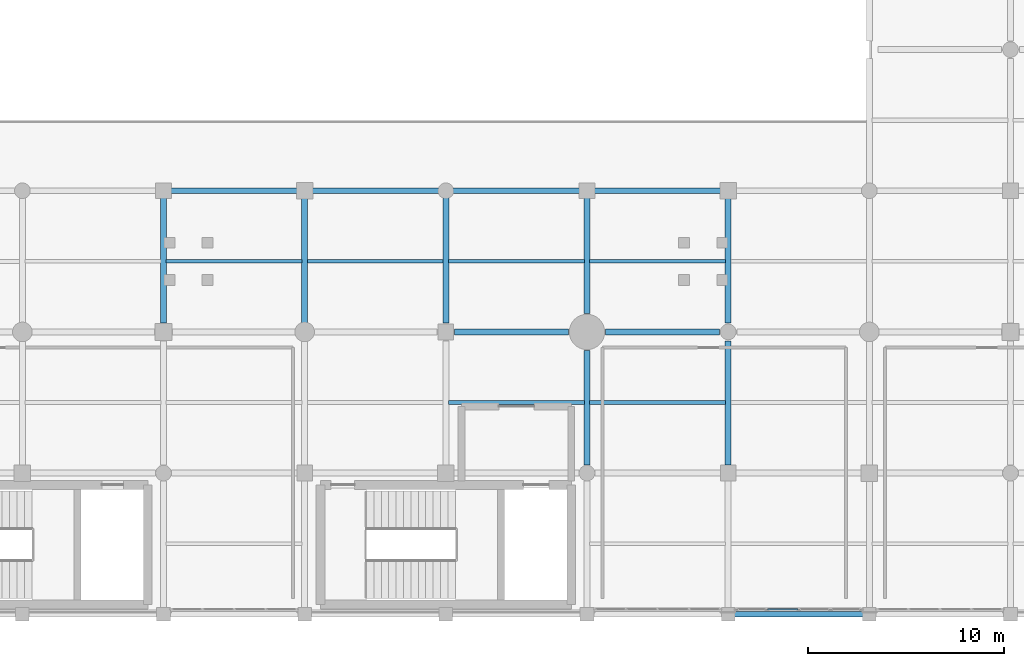
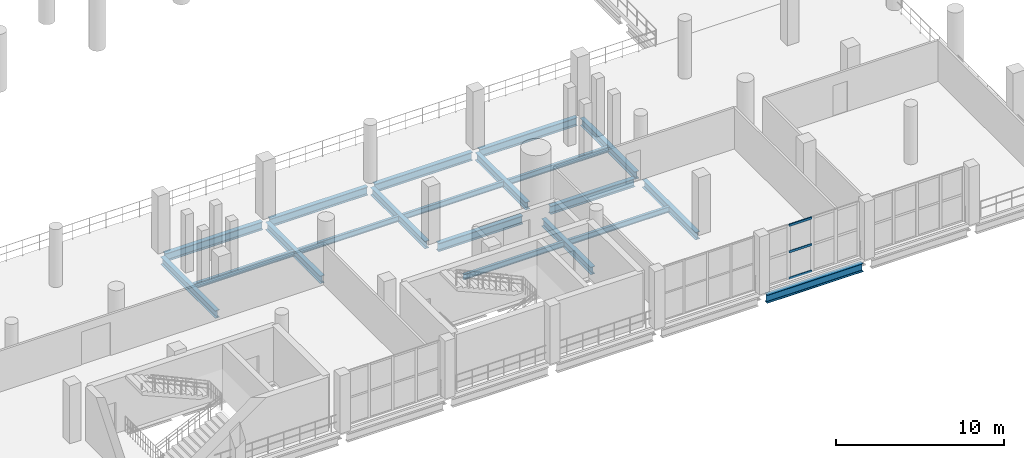
# One storey, part 29 of 153: 20 beams, 3 members, 1 element without a shape of its own.
"""IFC4 building model written with IfcOpenShell, lengths in metres."""

from ifc_helpers import new_model, si_unit, direction, frame, origin, origin_2d, place, context, subcontext, project, spatial, hollow_rectangle, i_section, extrude, material, material_profile, profile_set, type_object, element, aggregate, save


model = new_model("IFC4")

# Units and contexts
model_context = context("Model", 3, precision=1e-05, world=origin(), true_north=direction((0.0, 1.0)))
body_context = subcontext(model_context, "Body", "Model", "MODEL_VIEW")
ifc_project = project(units=[si_unit("LENGTHUNIT", "METRE"), si_unit("AREAUNIT", "SQUARE_METRE"), si_unit("VOLUMEUNIT", "CUBIC_METRE"), si_unit("PLANEANGLEUNIT", "RADIAN"), si_unit("MASSUNIT", "GRAM", prefix="KILO")], contexts=[model_context])

# Site, building, storey
site_placement = place(None, origin())
site = spatial("IfcSite", under=ifc_project, at=site_placement, CompositionType="ELEMENT")
building_placement = place(site_placement, origin())
building = spatial("IfcBuilding", under=site, at=building_placement, Name="Qandorah Velis Arena", CompositionType="ELEMENT")
storey_placement = place(building_placement, frame((0.0, 0.0, 5.39990234375)))
storey = spatial("IfcBuildingStorey", under=building, at=storey_placement, Name="L01", CompositionType="ELEMENT", Elevation=5.39990234375)

# Curtain wall, members
ifc_material_1 = material(Name="Solar-control low-E double glazing", Category="glass")
curtain_wall_type = type_object("IfcCurtainWallType", Name="ARC-CW-SYS13", PredefinedType="USERDEFINED", material=ifc_material_1)
curtain_wall_placement = place(storey_placement, origin())
curtain_wall = element("IfcCurtainWall", 1, at=curtain_wall_placement, inside=storey, type_object=curtain_wall_type, Name="Unitised curtain wall L01-061", ObjectType="UNITISED CURTAIN WALL", PredefinedType="USERDEFINED")
ifc_material_2 = material(Name="Champagne-bronze anodized aluminium 6063-T6", Category="aluminium")
ifc_material_profile_1 = material_profile(ifc_material_2, hollow_rectangle(XDim=0.074951171875, YDim=0.159912109375, WallThickness=0.00341796875, at=origin_2d()), Name="ALU TRANSOM 75x160")
ifc_profile_set_1 = profile_set([ifc_material_profile_1], Name="Champagne-bronze anodized aluminium 6063-T6")
member_type = type_object("IfcMemberType", Name="ARC-CWT-160", PredefinedType="USERDEFINED", material=ifc_profile_set_1)
member_1_placement = place(storey_placement, frame((95.613037109375, 0.25, 0.03759765625), z_axis=(1.0, 0.0, 0.0), x_axis=(0.0, 1.0, 0.0)))
member_1 = element("IfcMember", 2, at=member_1_placement, type_object=member_type, Name="CW13 transom 2.1", ObjectType="TRANSOM", PredefinedType="USERDEFINED", context=body_context, shape_type="SweptSolid", body=[
    extrude(hollow_rectangle(XDim=0.074951171875, YDim=0.159912109375, WallThickness=0.00341796875, at=origin_2d()), origin(), (0.0, 0.0, 1.0), 1.5615234375),
])
member_2_placement = place(storey_placement, frame((95.613037109375, 0.25, 1.960205078125), z_axis=(1.0, 0.0, 0.0), x_axis=(0.0, 1.0, 0.0)))
member_2 = element("IfcMember", 3, at=member_2_placement, type_object=member_type, Name="CW13 transom 2.2", ObjectType="TRANSOM", PredefinedType="USERDEFINED", context=body_context, shape_type="SweptSolid", body=[
    extrude(hollow_rectangle(XDim=0.074951171875, YDim=0.159912109375, WallThickness=0.00341796875, at=origin_2d()), origin(), (0.0, 0.0, 1.0), 1.5615234375),
])
member_3_placement = place(storey_placement, frame((95.613037109375, 0.25, 3.882568359375), z_axis=(1.0, 0.0, 0.0), x_axis=(0.0, 1.0, 0.0)))
member_3 = element("IfcMember", 4, at=member_3_placement, type_object=member_type, Name="CW13 transom 2.3", ObjectType="TRANSOM", PredefinedType="USERDEFINED", context=body_context, shape_type="SweptSolid", body=[
    extrude(hollow_rectangle(XDim=0.074951171875, YDim=0.159912109375, WallThickness=0.00341796875, at=origin_2d()), origin(), (0.0, 0.0, 1.0), 1.5615234375),
])
aggregate(curtain_wall, [member_1, member_2, member_3])

# Beams
ifc_material_3 = material(Name="Steel S355", Category="steel")
ifc_material_profile_2 = material_profile(ifc_material_3, i_section(OverallWidth=0.300048828125, OverallDepth=0.550048828125, WebThickness=0.014892578125, FlangeThickness=0.029052734375, FilletRadius=0.027099609375, at=origin_2d()), Name="HEB 550")
ifc_profile_set_2 = profile_set([ifc_material_profile_2], Name="Steel S355")
beam_type_1 = type_object("IfcBeamType", Name="STR-BM-HEB550", PredefinedType="BEAM", material=ifc_profile_set_2)
for number, where, z_axis, x_axis, name in (
    (5, (64.800048828125, 14.85009765625, -0.635009765625), (0.0, 1.0, 0.0), (-1.0, 0.0, 0.0), "Primary floor girder L01 Y-324"),
    (6, (72.0, 14.85009765625, -0.635009765625), (0.0, 1.0, 0.0), (-1.0, 0.0, 0.0), "Primary floor girder L01 Y-330"),
    (7, (79.199951171875, 14.85009765625, -0.635009765625), (0.0, 1.0, 0.0), (-1.0, 0.0, 0.0), "Primary floor girder L01 Y-335"),
):
    element("IfcBeam", number, at=place(storey_placement, frame(where, z_axis=z_axis, x_axis=x_axis)), inside=storey, type_object=beam_type_1, Name=name, PredefinedType="BEAM", context=body_context, shape_type="SweptSolid", body=[
        extrude(i_section(OverallWidth=0.300048828125, OverallDepth=0.550048828125, WebThickness=0.014892578125, FlangeThickness=0.029052734375, FilletRadius=0.027099609375, at=origin_2d()), origin(), (0.0, 0.0, 1.0), 6.5),
    ])
beam_1_placement = place(storey_placement, frame((86.39990234375, 7.60009765625, -0.635009765625), z_axis=(0.0, 1.0, 0.0), x_axis=(-1.0, 0.0, 0.0)))
element("IfcBeam", 8, at=beam_1_placement, inside=storey, type_object=beam_type_1, Name="Primary floor girder L01 Y-339", PredefinedType="BEAM", context=body_context, shape_type="SweptSolid", body=[
    extrude(i_section(OverallWidth=0.300048828125, OverallDepth=0.550048828125, WebThickness=0.014892578125, FlangeThickness=0.029052734375, FilletRadius=0.027099609375, at=origin_2d()), origin(), (0.0, 0.0, 1.0), 5.849853515625),
])
beam_2_placement = place(storey_placement, frame((86.39990234375, 15.35009765625, -0.635009765625), z_axis=(0.0, 1.0, 0.0), x_axis=(-1.0, 0.0, 0.0)))
element("IfcBeam", 9, at=beam_2_placement, inside=storey, type_object=beam_type_1, Name="Primary floor girder L01 Y-340", PredefinedType="BEAM", context=body_context, shape_type="SweptSolid", body=[
    extrude(i_section(OverallWidth=0.300048828125, OverallDepth=0.550048828125, WebThickness=0.014892578125, FlangeThickness=0.029052734375, FilletRadius=0.027099609375, at=origin_2d()), origin(), (0.0, 0.0, 1.0), 6.0),
])
beam_3_placement = place(storey_placement, frame((93.60009765625, 7.60009765625, -0.635009765625), z_axis=(0.0, 1.0, 0.0), x_axis=(-1.0, 0.0, 0.0)))
element("IfcBeam", 10, at=beam_3_placement, inside=storey, type_object=beam_type_1, Name="Primary floor girder L01 Y-345", PredefinedType="BEAM", context=body_context, shape_type="SweptSolid", body=[
    extrude(i_section(OverallWidth=0.300048828125, OverallDepth=0.550048828125, WebThickness=0.014892578125, FlangeThickness=0.029052734375, FilletRadius=0.027099609375, at=origin_2d()), origin(), (0.0, 0.0, 1.0), 6.349853515625),
])
beam_4_placement = place(storey_placement, frame((93.60009765625, 14.85009765625, -0.635009765625), z_axis=(0.0, 1.0, 0.0), x_axis=(-1.0, 0.0, 0.0)))
element("IfcBeam", 11, at=beam_4_placement, inside=storey, type_object=beam_type_1, Name="Primary floor girder L01 Y-346", PredefinedType="BEAM", context=body_context, shape_type="SweptSolid", body=[
    extrude(i_section(OverallWidth=0.300048828125, OverallDepth=0.550048828125, WebThickness=0.014892578125, FlangeThickness=0.029052734375, FilletRadius=0.027099609375, at=origin_2d()), origin(), (0.0, 0.0, 1.0), 6.5),
])
ifc_material_profile_3 = material_profile(ifc_material_3, i_section(OverallWidth=0.300048828125, OverallDepth=0.60009765625, WebThickness=0.015380859375, FlangeThickness=0.030029296875, FilletRadius=0.027099609375, at=origin_2d()), Name="HEB 600")
ifc_profile_set_3 = profile_set([ifc_material_profile_3], Name="Steel S355")
beam_type_2 = type_object("IfcBeamType", Name="STR-BM-HEB600", PredefinedType="BEAM", material=ifc_profile_set_3)
beam_5_placement = place(storey_placement, frame((93.89990234375, 0.0, -0.659912109375), z_axis=(1.0, 0.0, 0.0), x_axis=(0.0, 1.0, 0.0)))
element("IfcBeam", 12, at=beam_5_placement, inside=storey, type_object=beam_type_2, Name="Primary floor girder L01 X-014", PredefinedType="BEAM", context=body_context, shape_type="SweptSolid", body=[
    extrude(i_section(OverallWidth=0.300048828125, OverallDepth=0.60009765625, WebThickness=0.015380859375, FlangeThickness=0.030029296875, FilletRadius=0.027099609375, at=origin_2d()), origin(), (0.0, 0.0, 1.0), 6.60009765625),
])
beam_6_placement = place(storey_placement, frame((79.64990234375, 14.39990234375, -0.659912109375), z_axis=(1.0, 0.0, 0.0), x_axis=(0.0, 1.0, 0.0)))
element("IfcBeam", 13, at=beam_6_placement, inside=storey, type_object=beam_type_2, Name="Primary floor girder L01 X-044", PredefinedType="BEAM", context=body_context, shape_type="SweptSolid", body=[
    extrude(i_section(OverallWidth=0.300048828125, OverallDepth=0.60009765625, WebThickness=0.015380859375, FlangeThickness=0.030029296875, FilletRadius=0.027099609375, at=origin_2d()), origin(), (0.0, 0.0, 1.0), 5.800048828125),
])
beam_7_placement = place(storey_placement, frame((87.35009765625, 14.39990234375, -0.659912109375), z_axis=(1.0, 0.0, 0.0), x_axis=(0.0, 1.0, 0.0)))
element("IfcBeam", 14, at=beam_7_placement, inside=storey, type_object=beam_type_2, Name="Primary floor girder L01 X-045", PredefinedType="BEAM", context=body_context, shape_type="SweptSolid", body=[
    extrude(i_section(OverallWidth=0.300048828125, OverallDepth=0.60009765625, WebThickness=0.015380859375, FlangeThickness=0.030029296875, FilletRadius=0.027099609375, at=origin_2d()), origin(), (0.0, 0.0, 1.0), 5.7998046875),
])
for number, where, z_axis, x_axis, name in (
    (15, (65.050048828125, 21.60009765625, -0.659912109375), (1.0, 0.0, 0.0), (0.0, 1.0, 0.0), "Primary floor girder L01 X-058"),
    (16, (72.25, 21.60009765625, -0.659912109375), (1.0, 0.0, 0.0), (0.0, 1.0, 0.0), "Primary floor girder L01 X-059"),
    (17, (79.449951171875, 21.60009765625, -0.659912109375), (1.0, 0.0, 0.0), (0.0, 1.0, 0.0), "Primary floor girder L01 X-060"),
):
    element("IfcBeam", number, at=place(storey_placement, frame(where, z_axis=z_axis, x_axis=x_axis)), inside=storey, type_object=beam_type_2, Name=name, PredefinedType="BEAM", context=body_context, shape_type="SweptSolid", body=[
        extrude(i_section(OverallWidth=0.300048828125, OverallDepth=0.60009765625, WebThickness=0.015380859375, FlangeThickness=0.030029296875, FilletRadius=0.027099609375, at=origin_2d()), origin(), (0.0, 0.0, 1.0), 6.699951171875),
    ])
beam_8_placement = place(storey_placement, frame((86.64990234375, 21.60009765625, -0.659912109375), z_axis=(1.0, 0.0, 0.0), x_axis=(0.0, 1.0, 0.0)))
element("IfcBeam", 18, at=beam_8_placement, inside=storey, type_object=beam_type_2, Name="Primary floor girder L01 X-061", PredefinedType="BEAM", context=body_context, shape_type="SweptSolid", body=[
    extrude(i_section(OverallWidth=0.300048828125, OverallDepth=0.60009765625, WebThickness=0.015380859375, FlangeThickness=0.030029296875, FilletRadius=0.027099609375, at=origin_2d()), origin(), (0.0, 0.0, 1.0), 6.7001953125),
])
ifc_material_profile_4 = material_profile(ifc_material_3, i_section(OverallWidth=0.179931640625, OverallDepth=0.39990234375, WebThickness=0.008544921875, FlangeThickness=0.013427734375, FilletRadius=0.02099609375, at=origin_2d()), Name="IPE 400")
ifc_profile_set_4 = profile_set([ifc_material_profile_4], Name="Steel S355")
beam_type_3 = type_object("IfcBeamType", Name="STR-JST-IPE400", PredefinedType="JOIST", material=ifc_profile_set_4)
for number, where, z_axis, x_axis, name in (
    (19, (64.93505859375, 18.0, -0.559814453125), (1.0, 0.0, 0.0), (0.0, 1.0, 0.0), "Secondary floor joist L01-085"),
    (20, (72.135009765625, 18.0, -0.559814453125), (1.0, 0.0, 0.0), (0.0, 1.0, 0.0), "Secondary floor joist L01-090"),
    (21, (79.3349609375, 10.800048828125, -0.559814453125), (1.0, 0.0, 0.0), (0.0, 1.0, 0.0), "Secondary floor joist L01-093"),
    (22, (79.3349609375, 18.0, -0.559814453125), (1.0, 0.0, 0.0), (0.0, 1.0, 0.0), "Secondary floor joist L01-094"),
):
    element("IfcBeam", number, at=place(storey_placement, frame(where, z_axis=z_axis, x_axis=x_axis)), inside=storey, type_object=beam_type_3, Name=name, PredefinedType="JOIST", context=body_context, shape_type="SweptSolid", body=[
        extrude(i_section(OverallWidth=0.179931640625, OverallDepth=0.39990234375, WebThickness=0.008544921875, FlangeThickness=0.013427734375, FilletRadius=0.02099609375, at=origin_2d()), origin(), (0.0, 0.0, 1.0), 6.929931640625),
    ])
for number, where, z_axis, x_axis, name in (
    (23, (86.534912109375, 10.800048828125, -0.559814453125), (1.0, 0.0, 0.0), (0.0, 1.0, 0.0), "Secondary floor joist L01-098"),
    (24, (86.534912109375, 18.0, -0.559814453125), (1.0, 0.0, 0.0), (0.0, 1.0, 0.0), "Secondary floor joist L01-099"),
):
    element("IfcBeam", number, at=place(storey_placement, frame(where, z_axis=z_axis, x_axis=x_axis)), inside=storey, type_object=beam_type_3, Name=name, PredefinedType="JOIST", context=body_context, shape_type="SweptSolid", body=[
        extrude(i_section(OverallWidth=0.179931640625, OverallDepth=0.39990234375, WebThickness=0.008544921875, FlangeThickness=0.013427734375, FilletRadius=0.02099609375, at=origin_2d()), origin(), (0.0, 0.0, 1.0), 6.93017578125),
    ])

save(model, "model.ifc")
